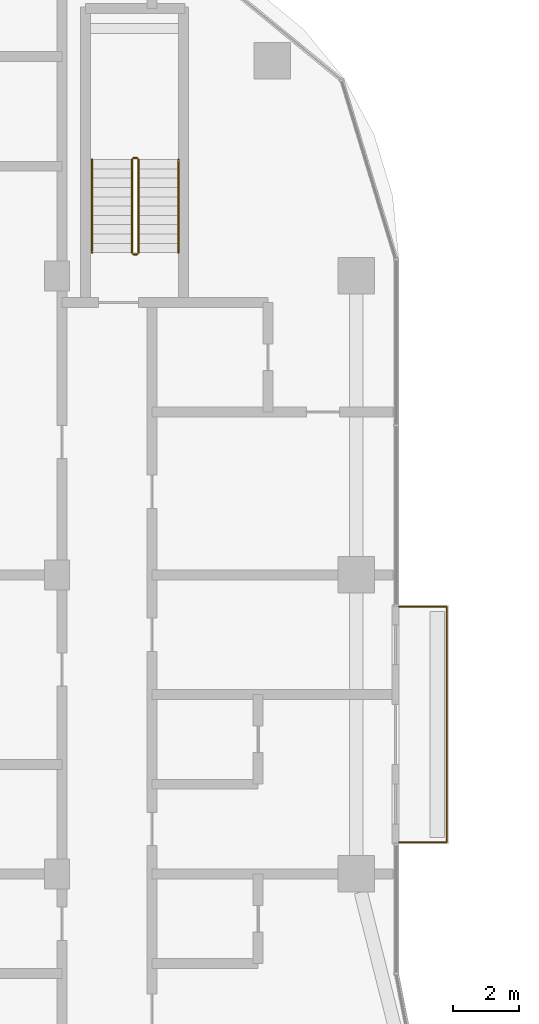
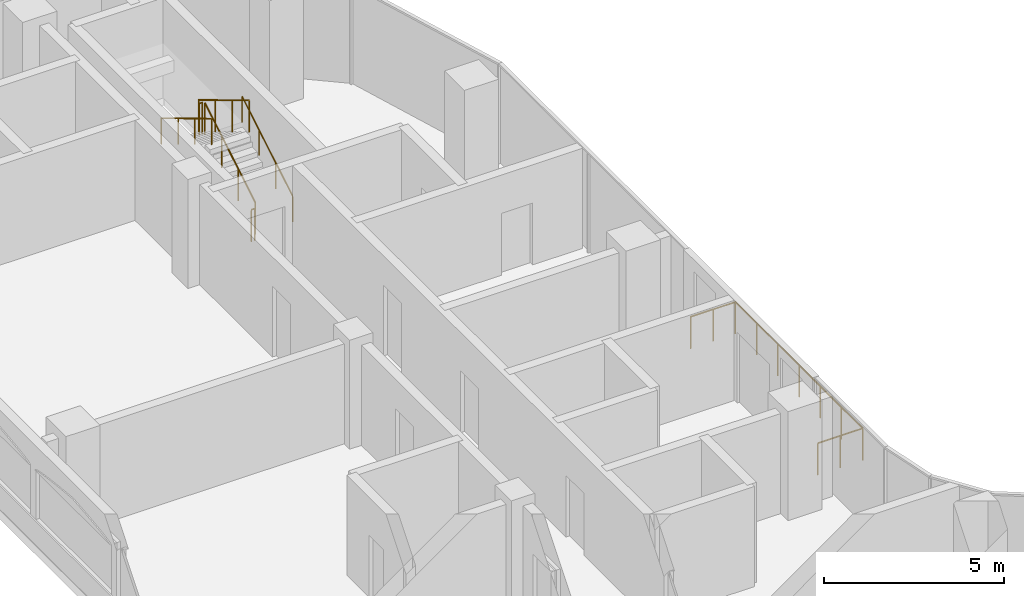
# One storey, part 23 of 23: 7 railings.
"""IFC4 building model written with IfcOpenShell, lengths in metres."""

from ifc_helpers import new_model, si_unit, direction, frame, origin, origin_2d, place, context, subcontext, project, spatial, circle, extrude, material, type_object, element, save


model = new_model("IFC4")

# Units and contexts
model_context = context("Model", 3, precision=1e-05, world=origin(), true_north=direction((0.0, 1.0)))
body_context = subcontext(model_context, "Body", "Model", "MODEL_VIEW")
ifc_project = project(units=[si_unit("LENGTHUNIT", "METRE"), si_unit("AREAUNIT", "SQUARE_METRE"), si_unit("VOLUMEUNIT", "CUBIC_METRE"), si_unit("PLANEANGLEUNIT", "RADIAN"), si_unit("MASSUNIT", "GRAM", prefix="KILO")], contexts=[model_context])

# Site, building, storey
site_placement = place(None, origin())
site = spatial("IfcSite", under=ifc_project, at=site_placement, CompositionType="ELEMENT")
building_placement = place(site_placement, origin())
building = spatial("IfcBuilding", under=site, at=building_placement, Name="Ogive Portal Towers", CompositionType="ELEMENT")
storey_placement = place(building_placement, frame((0.0, 0.0, 164.39990234375)))
storey = spatial("IfcBuildingStorey", under=building, at=storey_placement, Name="L40", CompositionType="ELEMENT", Elevation=164.39990234375)

# Railings
ifc_material_1 = material(Name="Steel S355", Category="steel")
railing_type_1 = type_object("IfcRailingType", Name="BALUSTRADE GLASS 1100", PredefinedType="BALUSTRADE", material=ifc_material_1)
railing_1_placement = place(storey_placement, frame((50.784912109375, 49.4599609375, 0.0)))
element("IfcRailing", 1, at=railing_1_placement, inside=storey, type_object=railing_type_1, Name="A:L40:bal:S1:rail", PredefinedType="BALUSTRADE", context=body_context, shape_type="SweptSolid", body=[
    extrude(circle(Radius=0.02392578125, at=origin_2d()), frame((0.0, 0.0, 1.076171875), z_axis=(1.0, 0.0, 0.0), x_axis=(0.0, 1.0, 0.0)), (0.0, 0.0, 1.0), 1.440185546875),
    extrude(circle(Radius=0.02392578125, at=origin_2d()), frame((1.440185546875, 0.0, 1.076171875), z_axis=(0.0, 1.0, 0.0), x_axis=(-1.0, 0.0, 0.0)), (0.0, 0.0, 1.0), 7.080078125),
    extrude(circle(Radius=0.02392578125, at=origin_2d()), frame((1.440185546875, 7.080078125, 1.076171875), z_axis=(-1.0, 0.0, 0.0), x_axis=(0.0, -1.0, 0.0)), (0.0, 0.0, 1.0), 1.440185546875),
    extrude(circle(Radius=0.02099609375, at=origin_2d()), origin(), (0.0, 0.0, 1.0), 1.052001953125),
    extrude(circle(Radius=0.02099609375, at=origin_2d()), frame((0.72021484375, 0.0, 0.0)), (0.0, 0.0, 1.0), 1.052001953125),
    extrude(circle(Radius=0.02099609375, at=origin_2d()), frame((1.440185546875, 0.0, 0.0)), (0.0, 0.0, 1.0), 1.052001953125),
    extrude(circle(Radius=0.02099609375, at=origin_2d()), frame((1.440185546875, 1.179931640625, 0.0)), (0.0, 0.0, 1.0), 1.052001953125),
    extrude(circle(Radius=0.02099609375, at=origin_2d()), frame((1.440185546875, 2.360107421875, 0.0)), (0.0, 0.0, 1.0), 1.052001953125),
    extrude(circle(Radius=0.02099609375, at=origin_2d()), frame((1.440185546875, 3.5400390625, 0.0)), (0.0, 0.0, 1.0), 1.052001953125),
    extrude(circle(Radius=0.02099609375, at=origin_2d()), frame((1.440185546875, 4.719970703125, 0.0)), (0.0, 0.0, 1.0), 1.052001953125),
    extrude(circle(Radius=0.02099609375, at=origin_2d()), frame((1.440185546875, 5.900146484375, 0.0)), (0.0, 0.0, 1.0), 1.052001953125),
    extrude(circle(Radius=0.02099609375, at=origin_2d()), frame((1.440185546875, 7.080078125, 0.0)), (0.0, 0.0, 1.0), 1.052001953125),
    extrude(circle(Radius=0.02099609375, at=origin_2d()), frame((0.72021484375, 7.080078125, 0.0)), (0.0, 0.0, 1.0), 1.052001953125),
    extrude(circle(Radius=0.02099609375, at=origin_2d()), frame((0.0, 7.080078125, 0.0)), (0.0, 0.0, 1.0), 1.052001953125),
])
ifc_material_2 = material(Name="Stainless steel balustrade", Category="steel")
railing_type_2 = type_object("IfcRailingType", Name="INT-GUARD", PredefinedType="GUARDRAIL", material=ifc_material_2)
railing_2_placement = place(storey_placement, frame((42.949951171875, 67.199951171875, 0.168212890625)))
element("IfcRailing", 2, at=railing_2_placement, inside=storey, type_object=railing_type_2, Name="L40 ST-A3 stair guard 1", PredefinedType="GUARDRAIL", context=body_context, shape_type="SweptSolid", body=[
    extrude(circle(Radius=0.02392578125, at=origin_2d()), frame((0.0, 0.0, 1.076171875), z_axis=(0.0, 0.857242210791, 0.514913383045), x_axis=(-1.0, 0.0, 0.0)), (0.0, 0.0, 1.0), 3.266357421875),
    extrude(circle(Radius=0.02099609375, at=origin_2d()), origin(), (0.0, 0.0, 1.0), 1.052001953125),
    extrude(circle(Radius=0.02099609375, at=origin_2d()), frame((0.0, 0.933349609375, 0.560546875)), (0.0, 0.0, 1.0), 1.052001953125),
    extrude(circle(Radius=0.02099609375, at=origin_2d()), frame((0.0, 1.86669921875, 1.121337890625)), (0.0, 0.0, 1.0), 1.052001953125),
    extrude(circle(Radius=0.02099609375, at=origin_2d()), frame((0.0, 2.800048828125, 1.681884765625)), (0.0, 0.0, 1.0), 1.052001953125),
])
railing_3_placement = place(storey_placement, frame((42.89990234375, 70.050048828125, 1.85009765625)))
element("IfcRailing", 3, at=railing_3_placement, inside=storey, type_object=railing_type_2, Name="L40 ST-A3 stair guard 2", PredefinedType="GUARDRAIL", context=body_context, shape_type="SweptSolid", body=[
    extrude(circle(Radius=0.02392578125, at=origin_2d()), frame((0.0, 0.0, 1.076171875), z_axis=(-1.0, 0.0, 0.0), x_axis=(0.0, -1.0, 0.0)), (0.0, 0.0, 1.0), 0.099853515625),
    extrude(circle(Radius=0.02099609375, at=origin_2d()), origin(), (0.0, 0.0, 1.0), 1.052001953125),
    extrude(circle(Radius=0.02099609375, at=origin_2d()), frame((-0.099853515625, 0.0, 0.0)), (0.0, 0.0, 1.0), 1.052001953125),
])
railing_4_placement = place(storey_placement, frame((42.75, 70.0, 2.018310546875)))
element("IfcRailing", 4, at=railing_4_placement, inside=storey, type_object=railing_type_2, Name="L40 ST-A3 stair guard 3", PredefinedType="GUARDRAIL", context=body_context, shape_type="SweptSolid", body=[
    extrude(circle(Radius=0.02392578125, at=origin_2d()), frame((0.0, 0.0, 1.076171875), z_axis=(0.0, -0.857242210791, 0.514913383045), x_axis=(1.0, 0.0, 0.0)), (0.0, 0.0, 1.0), 3.266357421875),
    extrude(circle(Radius=0.02099609375, at=origin_2d()), origin(), (0.0, 0.0, 1.0), 1.052001953125),
    extrude(circle(Radius=0.02099609375, at=origin_2d()), frame((0.0, -0.933349609375, 0.560546875)), (0.0, 0.0, 1.0), 1.052001953125),
    extrude(circle(Radius=0.02099609375, at=origin_2d()), frame((0.0, -1.86669921875, 1.121337890625)), (0.0, 0.0, 1.0), 1.052001953125),
    extrude(circle(Radius=0.02099609375, at=origin_2d()), frame((0.0, -2.800048828125, 1.681884765625)), (0.0, 0.0, 1.0), 1.052001953125),
])
railing_5_placement = place(storey_placement, frame((42.89990234375, 67.14990234375, 0.0)))
element("IfcRailing", 5, at=railing_5_placement, inside=storey, type_object=railing_type_2, Name="L40 ST-A3 stair guard 4", PredefinedType="GUARDRAIL", context=body_context, shape_type="SweptSolid", body=[
    extrude(circle(Radius=0.02392578125, at=origin_2d()), frame((0.0, 0.0, 1.076171875), z_axis=(-1.0, 0.0, 0.0), x_axis=(0.0, -1.0, 0.0)), (0.0, 0.0, 1.0), 0.099853515625),
    extrude(circle(Radius=0.02099609375, at=origin_2d()), origin(), (0.0, 0.0, 1.0), 1.052001953125),
    extrude(circle(Radius=0.02099609375, at=origin_2d()), frame((-0.099853515625, 0.0, 0.0)), (0.0, 0.0, 1.0), 1.052001953125),
])
ifc_material_3 = material(Name="Stainless steel handrail", Category="steel")
railing_type_3 = type_object("IfcRailingType", Name="INT-HANDRAIL", PredefinedType="HANDRAIL", material=ifc_material_3)
railing_6_placement = place(storey_placement, frame((44.14990234375, 67.199951171875, 0.168212890625)))
element("IfcRailing", 6, at=railing_6_placement, inside=storey, type_object=railing_type_3, Name="L40 ST-A3 stair handrail 1", PredefinedType="HANDRAIL", context=body_context, shape_type="SweptSolid", body=[
    extrude(circle(Radius=0.02392578125, at=origin_2d()), frame((0.0, 0.0, 0.8759765625), z_axis=(0.0, 0.857242210791, 0.514913383045), x_axis=(-1.0, 0.0, 0.0)), (0.0, 0.0, 1.0), 3.266357421875),
    extrude(circle(Radius=0.02099609375, at=origin_2d()), origin(), (0.0, 0.0, 1.0), 0.851806640625),
    extrude(circle(Radius=0.02099609375, at=origin_2d()), frame((0.0, 0.933349609375, 0.560546875)), (0.0, 0.0, 1.0), 0.851806640625),
    extrude(circle(Radius=0.02099609375, at=origin_2d()), frame((0.0, 1.86669921875, 1.121337890625)), (0.0, 0.0, 1.0), 0.851806640625),
    extrude(circle(Radius=0.02099609375, at=origin_2d()), frame((0.0, 2.800048828125, 1.681884765625)), (0.0, 0.0, 1.0), 0.851806640625),
])
railing_7_placement = place(storey_placement, frame((41.550048828125, 70.0, 2.018310546875)))
element("IfcRailing", 7, at=railing_7_placement, inside=storey, type_object=railing_type_3, Name="L40 ST-A3 stair handrail 2", PredefinedType="HANDRAIL", context=body_context, shape_type="SweptSolid", body=[
    extrude(circle(Radius=0.02392578125, at=origin_2d()), frame((0.0, 0.0, 0.8759765625), z_axis=(0.0, -0.857242210791, 0.514913383045), x_axis=(1.0, 0.0, 0.0)), (0.0, 0.0, 1.0), 3.266357421875),
    extrude(circle(Radius=0.02099609375, at=origin_2d()), origin(), (0.0, 0.0, 1.0), 0.851806640625),
    extrude(circle(Radius=0.02099609375, at=origin_2d()), frame((0.0, -0.933349609375, 0.560546875)), (0.0, 0.0, 1.0), 0.851806640625),
    extrude(circle(Radius=0.02099609375, at=origin_2d()), frame((0.0, -1.86669921875, 1.121337890625)), (0.0, 0.0, 1.0), 0.851806640625),
    extrude(circle(Radius=0.02099609375, at=origin_2d()), frame((0.0, -2.800048828125, 1.681884765625)), (0.0, 0.0, 1.0), 0.851806640625),
])

save(model, "model.ifc")
